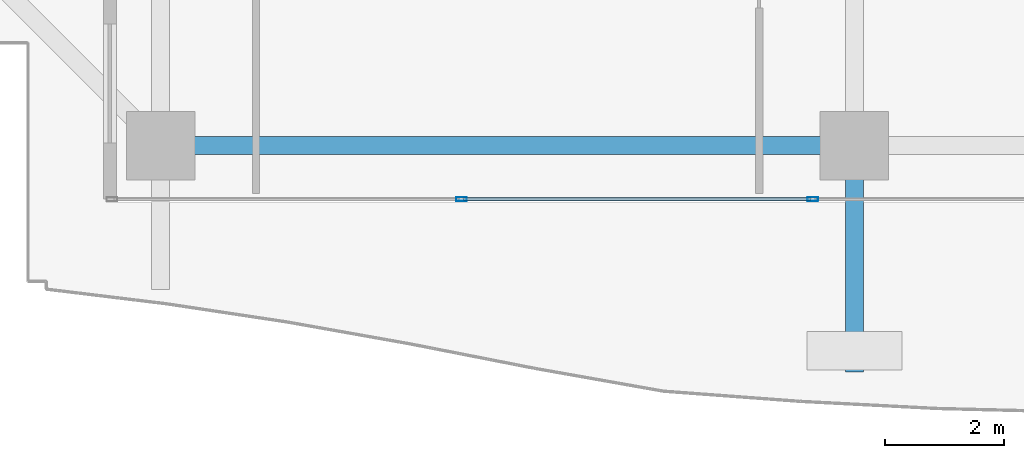
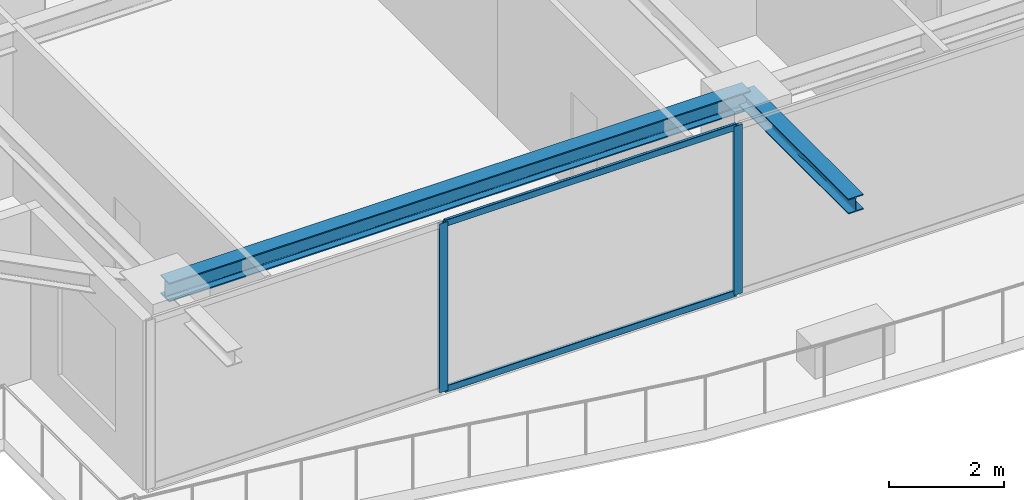
# One storey, part 5 of 36: 4 members, 2 beams, 1 element without a shape of its own.
"""IFC4 building model written with IfcOpenShell, lengths in metres."""

from ifc_helpers import new_model, si_unit, direction, frame, origin, origin_2d, place, context, subcontext, project, spatial, hollow_rectangle, i_section, extrude, source, transform, mapped, material, layer, layer_set, material_profile, profile_set, type_object, element, aggregate, save


model = new_model("IFC4")

# Units and contexts
model_context = context("Model", 3, precision=1e-05, world=origin(), true_north=direction((0.0, 1.0)))
body_context = subcontext(model_context, "Body", "Model", "MODEL_VIEW")
ifc_project = project(units=[si_unit("LENGTHUNIT", "METRE"), si_unit("AREAUNIT", "SQUARE_METRE"), si_unit("VOLUMEUNIT", "CUBIC_METRE"), si_unit("PLANEANGLEUNIT", "RADIAN"), si_unit("MASSUNIT", "GRAM", prefix="KILO")], contexts=[model_context])

# Site, building, storey
site_placement = place(None, origin())
site = spatial("IfcSite", under=ifc_project, at=site_placement, CompositionType="ELEMENT")
building_placement = place(site_placement, origin())
building = spatial("IfcBuilding", under=site, at=building_placement, Name="Serunith Strait Residences", CompositionType="ELEMENT")
storey_placement = place(building_placement, frame((0.0, 0.0, 272.050048828125)))
storey = spatial("IfcBuildingStorey", under=building, at=storey_placement, Name="L68", CompositionType="ELEMENT", Elevation=272.050048828125)

# Beams
ifc_material_1 = material(Name="Steel S355J2", Category="steel")
ifc_material_profile_1 = material_profile(ifc_material_1, i_section(OverallWidth=0.300048828125, OverallDepth=0.39990234375, WebThickness=0.013427734375, FlangeThickness=0.02392578125, FilletRadius=0.027099609375, at=origin_2d()), Name="HEB 400")
ifc_profile_set_1 = profile_set([ifc_material_profile_1], Name="Steel S355J2")
beam_type_1 = type_object("IfcBeamType", Name="BM-HEB400", PredefinedType="BEAM", material=ifc_profile_set_1)
shared_shape_1 = source(origin(), body_context, "Body", "SweptSolid", [
    extrude(i_section(OverallWidth=0.300048828125, OverallDepth=0.39990234375, WebThickness=0.013427734375, FlangeThickness=0.02392578125, FilletRadius=0.027099609375, at=origin_2d()), origin(), (0.0, 0.0, 1.0), 11.64990234375),
])
beam_1_placement = place(storey_placement, frame((16.25, 2.10009765625, 3.386962890625), z_axis=(1.0, 0.0, 0.0), x_axis=(0.0, 1.0, 0.0)))
element("IfcBeam", 1, at=beam_1_placement, inside=storey, type_object=beam_type_1, Name="L68 Perimeter Ring Beam 01", PredefinedType="BEAM", context=body_context, shape_type="MappedRepresentation", body=[
    mapped(shared_shape_1, transform((0.0, 0.0, 0.0), scale=1.0)),
])
ifc_material_profile_2 = material_profile(ifc_material_1, i_section(OverallWidth=0.300048828125, OverallDepth=0.320068359375, WebThickness=0.011474609375, FlangeThickness=0.0205078125, FilletRadius=0.027099609375, at=origin_2d()), Name="HEB 320")
ifc_profile_set_2 = profile_set([ifc_material_profile_2], Name="Steel S355J2")
beam_type_2 = type_object("IfcBeamType", Name="BM-HEB320", PredefinedType="BEAM", material=ifc_profile_set_2)
shared_shape_2 = source(origin(), body_context, "Body", "SweptSolid", [
    extrude(i_section(OverallWidth=0.300048828125, OverallDepth=0.320068359375, WebThickness=0.011474609375, FlangeThickness=0.0205078125, FilletRadius=0.027099609375, at=origin_2d()), origin(), (0.0, 0.0, 1.0), 3.800048828125),
])
beam_2_placement = place(storey_placement, frame((27.89990234375, 2.10009765625, 3.39697265625), z_axis=(0.0, -1.0, 0.0), x_axis=(1.0, 0.0, 0.0)))
element("IfcBeam", 2, at=beam_2_placement, inside=storey, type_object=beam_type_2, Name="L69 Cantilevered Balcony Rib TC-S2", PredefinedType="BEAM", context=body_context, shape_type="MappedRepresentation", body=[
    mapped(shared_shape_2, transform((0.0, 0.0, 0.0), scale=1.0)),
])

# Curtain wall, members
ifc_material_2 = material(Name="Pale-Champagne Anodised Aluminium", Category="aluminium")
ifc_layer = layer(ifc_material_2, 0.199951171875, Name="Pale-Champagne Anodised Aluminium")
ifc_layer_set = layer_set([ifc_layer], Name="Pale-Champagne Anodised Aluminium")
curtain_wall_type = type_object("IfcCurtainWallType", Name="CW-SYS4", PredefinedType="NOTDEFINED", material=ifc_layer_set)
curtain_wall_placement = place(storey_placement, origin())
curtain_wall = element("IfcCurtainWall", 3, at=curtain_wall_placement, inside=storey, type_object=curtain_wall_type, Name="L68 S Unitised Fritted Curtain Wall", PredefinedType="NOTDEFINED")
ifc_material_profile_3 = material_profile(ifc_material_2, hollow_rectangle(XDim=0.06494140625, YDim=0.179931640625, WallThickness=0.00341796875, InnerFilletRadius=0.00537109375, OuterFilletRadius=0.0087890625, at=origin_2d()), Name="ALU 180x65x3.5")
ifc_profile_set_3 = profile_set([ifc_material_profile_3], Name="Pale-Champagne Anodised Aluminium")
member_type_1 = type_object("IfcMemberType", Name="CW-SYS4-MULL", PredefinedType="MULLION", material=ifc_profile_set_3)
shared_shape_3 = source(origin(), body_context, "Body", "SweptSolid", [
    extrude(hollow_rectangle(XDim=0.06494140625, YDim=0.179931640625, WallThickness=0.00341796875, InnerFilletRadius=0.00537109375, OuterFilletRadius=0.0087890625, at=origin_2d()), origin(), (0.0, 0.0, 1.0), 3.574951171875),
])
member_1_placement = place(storey_placement, frame((21.300048828125, 1.199951171875, 0.0), z_axis=(0.0, 0.0, 1.0), x_axis=(0.0, 1.0, 0.0)))
member_1 = element("IfcMember", 4, at=member_1_placement, type_object=member_type_1, Name="CW-4 mullion 2", PredefinedType="MULLION", context=body_context, shape_type="MappedRepresentation", body=[
    mapped(shared_shape_3, transform((0.0, 0.0, 0.0), scale=1.0)),
])
member_2_placement = place(storey_placement, frame((27.199951171875, 1.199951171875, 0.0), z_axis=(0.0, 0.0, 1.0), x_axis=(0.0, 1.0, 0.0)))
member_2 = element("IfcMember", 5, at=member_2_placement, type_object=member_type_1, Name="CW-4 mullion 3", PredefinedType="MULLION", context=body_context, shape_type="MappedRepresentation", body=[
    mapped(shared_shape_3, transform((0.0, 0.0, 0.0), scale=1.0)),
])
ifc_material_profile_4 = material_profile(ifc_material_2, hollow_rectangle(XDim=0.06005859375, YDim=0.139892578125, WallThickness=0.00341796875, InnerFilletRadius=0.00537109375, OuterFilletRadius=0.0087890625, at=origin_2d()), Name="ALU 140x60x3.5")
ifc_profile_set_4 = profile_set([ifc_material_profile_4], Name="Pale-Champagne Anodised Aluminium")
member_type_2 = type_object("IfcMemberType", Name="CW-SYS4-TRAN", PredefinedType="USERDEFINED", material=ifc_profile_set_4)
shared_shape_4 = source(origin(), body_context, "Body", "SweptSolid", [
    extrude(hollow_rectangle(XDim=0.06005859375, YDim=0.139892578125, WallThickness=0.00341796875, InnerFilletRadius=0.00537109375, OuterFilletRadius=0.0087890625, at=origin_2d()), origin(), (0.0, 0.0, 1.0), 5.8349609375),
])
member_3_placement = place(storey_placement, frame((21.33251953125, 1.199951171875, 0.030029296875), z_axis=(1.0, 0.0, 0.0), x_axis=(0.0, 1.0, 0.0)))
member_3 = element("IfcMember", 6, at=member_3_placement, type_object=member_type_2, Name="CW-4 transom 2.1", ObjectType="TRANSOM", PredefinedType="USERDEFINED", context=body_context, shape_type="MappedRepresentation", body=[
    mapped(shared_shape_4, transform((0.0, 0.0, 0.0), scale=1.0)),
])
member_4_placement = place(storey_placement, frame((21.33251953125, 1.199951171875, 3.544921875), z_axis=(1.0, 0.0, 0.0), x_axis=(0.0, 1.0, 0.0)))
member_4 = element("IfcMember", 7, at=member_4_placement, type_object=member_type_2, Name="CW-4 transom 2.2", ObjectType="TRANSOM", PredefinedType="USERDEFINED", context=body_context, shape_type="MappedRepresentation", body=[
    mapped(shared_shape_4, transform((0.0, 0.0, 0.0), scale=1.0)),
])
aggregate(curtain_wall, [member_1, member_2, member_3, member_4])

save(model, "model.ifc")
